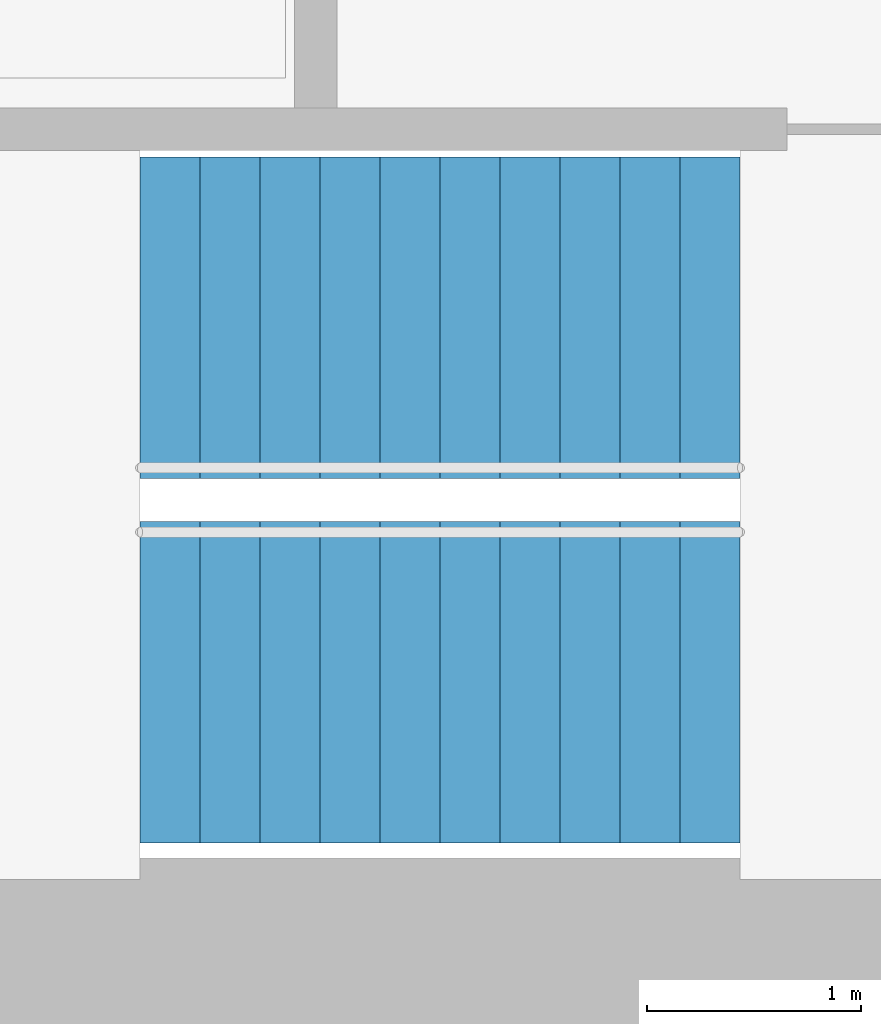
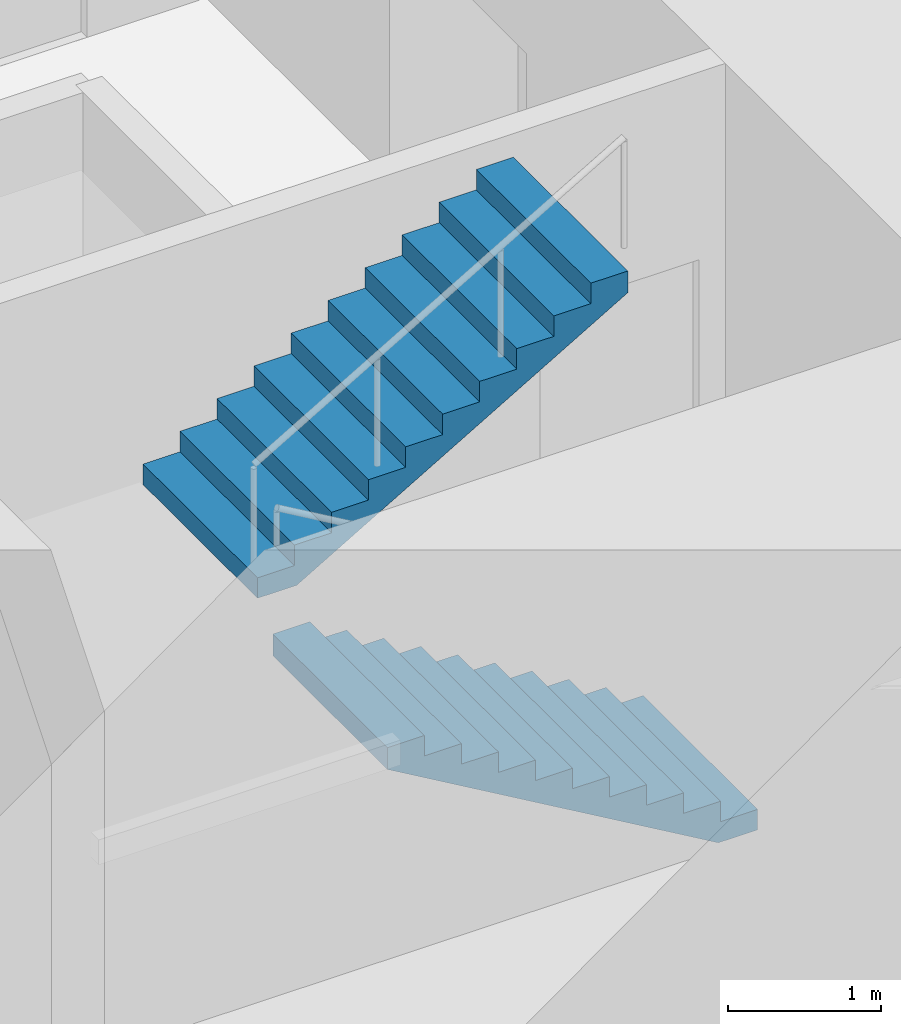
# One storey, part 15 of 17: 2 stair flights, 1 element without a shape of its own.
"""IFC4 building model written with IfcOpenShell, lengths in metres."""

from ifc_helpers import new_model, si_unit, direction, frame, origin, place, context, subcontext, project, spatial, triangles, material, type_object, element, aggregate, save


model = new_model("IFC4")

# Units and contexts
model_context = context("Model", 3, precision=1e-05, world=origin(), true_north=direction((0.0, 1.0)))
body_context = subcontext(model_context, "Body", "Model", "MODEL_VIEW")
ifc_project = project(units=[si_unit("LENGTHUNIT", "METRE"), si_unit("AREAUNIT", "SQUARE_METRE"), si_unit("VOLUMEUNIT", "CUBIC_METRE"), si_unit("PLANEANGLEUNIT", "RADIAN"), si_unit("MASSUNIT", "GRAM", prefix="KILO")], contexts=[model_context])

# Site, building, storey
site_placement = place(None, origin())
site = spatial("IfcSite", under=ifc_project, at=site_placement, CompositionType="ELEMENT")
building_placement = place(site_placement, origin())
building = spatial("IfcBuilding", under=site, at=building_placement, Name="Lantaw Convention Tower", CompositionType="ELEMENT")
storey_placement = place(building_placement, frame((0.0, 0.0, 37.0)))
storey = spatial("IfcBuildingStorey", under=building, at=storey_placement, Name="L06", CompositionType="ELEMENT", Elevation=37.0)

# Stair, stair flights
ifc_material = material(Name="Concrete C35/45", Category="concrete")
stair_type = type_object("IfcStairType", Name="Exit stair 1500 riser 163.64 in 2 flights", PredefinedType="HALF_TURN_STAIR", material=ifc_material)
stair_placement = place(storey_placement, origin())
stair = element("IfcStair", 1, at=stair_placement, inside=storey, type_object=stair_type, Name="Exit stair S2 L06", PredefinedType="HALF_TURN_STAIR")
stair_flight_type = type_object("IfcStairFlightType", Name="Stair flight 1500 riser 163.64", PredefinedType="STRAIGHT", material=ifc_material)
stair_flight_1_placement = place(storey_placement, frame((10.580078125, -5.97998046875, 0.0), z_axis=(0.0, 0.0, 1.0), x_axis=(-1.0, 0.0, 0.0)))
stair_flight_1 = element("IfcStairFlight", 2, at=stair_flight_1_placement, type_object=stair_flight_type, Name="S2 flight 1", NumberOfRisers=11, NumberOfTreads=10, PredefinedType="STRAIGHT", RiserHeight=0.163636364, TreadLength=0.28, context=body_context, shape_type="Tessellation", body=[
    triangles([(0.0, 0.75, 0.0), (0.0, 0.75, 0.163636364), (0.28, 0.75, 0.0), (0.28, 0.75, 0.163636364), (0.28, 0.75, 0.327272728), (0.2970904571225277, 0.75, 0.0), (0.2970904571225277, 0.75, 0.327272728), (0.56, 0.75, 0.1536484344906131), (0.56, 0.75, 0.327272728), (0.56, 0.75, 0.490909092), (0.8400000000000001, 0.75, 0.3172847984906131), (0.8400000000000001, 0.75, 0.490909092), (0.8400000000000001, 0.75, 0.654545456), (1.12, 0.75, 0.4809211624906131), (1.12, 0.75, 0.654545456), (1.12, 0.75, 0.8181818200000001), (1.4000000000000001, 0.75, 0.6445575264906132), (1.4000000000000001, 0.75, 0.8181818200000001), (1.4000000000000001, 0.75, 0.981818184), (1.6800000000000002, 0.75, 0.8081938904906131), (1.6800000000000002, 0.75, 0.981818184), (1.6800000000000002, 0.75, 1.145454548), (1.9600000000000002, 0.75, 0.9718302544906131), (1.9600000000000002, 0.75, 1.145454548), (1.9600000000000002, 0.75, 1.309090912), (2.24, 0.75, 1.135466618490613), (2.24, 0.75, 1.309090912), (2.24, 0.75, 1.472727276), (2.5200000000000005, 0.75, 1.2991029824906133), (2.5200000000000005, 0.75, 1.472727276), (2.5200000000000005, 0.75, 1.6363636400000001), (2.8000000000000003, 0.75, 1.462739346490613), (2.8000000000000003, 0.75, 1.6363636400000001), (0.0, -0.75, 0.0), (0.0, -0.75, 0.163636364), (0.28, -0.75, 0.0), (0.28, -0.75, 0.163636364), (0.28, -0.75, 0.327272728), (0.2970904571225277, -0.75, 0.0), (0.2970904571225277, -0.75, 0.327272728), (0.56, -0.75, 0.1536484344906131), (0.56, -0.75, 0.327272728), (0.56, -0.75, 0.490909092), (0.8400000000000001, -0.75, 0.3172847984906131), (0.8400000000000001, -0.75, 0.490909092), (0.8400000000000001, -0.75, 0.654545456), (1.12, -0.75, 0.4809211624906131), (1.12, -0.75, 0.654545456), (1.12, -0.75, 0.8181818200000001), (1.4000000000000001, -0.75, 0.6445575264906132), (1.4000000000000001, -0.75, 0.8181818200000001), (1.4000000000000001, -0.75, 0.981818184), (1.6800000000000002, -0.75, 0.8081938904906131), (1.6800000000000002, -0.75, 0.981818184), (1.6800000000000002, -0.75, 1.145454548), (1.9600000000000002, -0.75, 0.9718302544906131), (1.9600000000000002, -0.75, 1.145454548), (1.9600000000000002, -0.75, 1.309090912), (2.24, -0.75, 1.135466618490613), (2.24, -0.75, 1.309090912), (2.24, -0.75, 1.472727276), (2.5200000000000005, -0.75, 1.2991029824906133), (2.5200000000000005, -0.75, 1.472727276), (2.5200000000000005, -0.75, 1.6363636400000001), (2.8000000000000003, -0.75, 1.462739346490613), (2.8000000000000003, -0.75, 1.6363636400000001), (0.0, 0.15000000000000002, 0.163636364), (0.0, 0.15000000000000002, 0.0), (0.0, 0.0, 0.163636364), (0.0, 0.0, 0.0), (0.0, -0.15000000000000002, 0.163636364), (0.0, -0.15000000000000002, 0.0), (0.28, 0.15000000000000002, 0.327272728), (0.28, 0.15000000000000002, 0.163636364), (0.28, 0.0, 0.327272728), (0.28, 0.0, 0.163636364), (0.28, -0.15000000000000002, 0.327272728), (0.28, -0.15000000000000002, 0.163636364), (0.56, 0.15000000000000002, 0.490909092), (0.56, 0.15000000000000002, 0.327272728), (0.56, 0.0, 0.490909092), (0.56, 0.0, 0.327272728), (0.56, -0.15000000000000002, 0.490909092), (0.56, -0.15000000000000002, 0.327272728), (0.8400000000000001, 0.15000000000000002, 0.654545456), (0.8400000000000001, 0.15000000000000002, 0.490909092), (0.8400000000000001, 0.0, 0.654545456), (0.8400000000000001, 0.0, 0.490909092), (0.8400000000000001, -0.15000000000000002, 0.654545456), (0.8400000000000001, -0.15000000000000002, 0.490909092), (1.12, 0.15000000000000002, 0.8181818200000001), (1.12, 0.15000000000000002, 0.654545456), (1.12, 0.0, 0.8181818200000001), (1.12, 0.0, 0.654545456), (1.12, -0.15000000000000002, 0.8181818200000001), (1.12, -0.15000000000000002, 0.654545456), (1.4000000000000001, 0.15000000000000002, 0.981818184), (1.4000000000000001, 0.15000000000000002, 0.8181818200000001), (1.4000000000000001, 0.0, 0.981818184), (1.4000000000000001, 0.0, 0.8181818200000001), (1.4000000000000001, -0.15000000000000002, 0.981818184), (1.4000000000000001, -0.15000000000000002, 0.8181818200000001), (1.6800000000000002, 0.15000000000000002, 1.145454548), (1.6800000000000002, 0.15000000000000002, 0.981818184), (1.6800000000000002, 0.0, 1.145454548), (1.6800000000000002, 0.0, 0.981818184), (1.6800000000000002, -0.15000000000000002, 1.145454548), (1.6800000000000002, -0.15000000000000002, 0.981818184), (1.9600000000000002, 0.15000000000000002, 1.309090912), (1.9600000000000002, 0.15000000000000002, 1.145454548), (1.9600000000000002, 0.0, 1.309090912), (1.9600000000000002, 0.0, 1.145454548), (1.9600000000000002, -0.15000000000000002, 1.309090912), (1.9600000000000002, -0.15000000000000002, 1.145454548), (2.24, 0.15000000000000002, 1.472727276), (2.24, 0.15000000000000002, 1.309090912), (2.24, 0.0, 1.472727276), (2.24, 0.0, 1.309090912), (2.24, -0.15000000000000002, 1.472727276), (2.24, -0.15000000000000002, 1.309090912), (2.5200000000000005, 0.15000000000000002, 1.6363636400000001), (2.5200000000000005, 0.15000000000000002, 1.472727276), (2.5200000000000005, 0.0, 1.6363636400000001), (2.5200000000000005, 0.0, 1.472727276), (2.5200000000000005, -0.15000000000000002, 1.6363636400000001), (2.5200000000000005, -0.15000000000000002, 1.472727276), (0.2970904571225277, 0.15000000000000002, 0.327272728), (0.2970904571225277, 0.0, 0.327272728), (0.2970904571225277, -0.15000000000000002, 0.327272728), (2.8000000000000003, 0.15000000000000002, 1.6363636400000001), (2.8000000000000003, 0.0, 1.6363636400000001), (2.8000000000000003, -0.15000000000000002, 1.6363636400000001), (2.8000000000000003, 0.15000000000000002, 1.462739346490613), (2.8000000000000003, 0.0, 1.462739346490613), (2.8000000000000003, -0.15000000000000002, 1.462739346490613), (2.5200000000000005, 0.15000000000000002, 1.2991029824906133), (2.5200000000000005, 0.0, 1.2991029824906133), (2.5200000000000005, -0.15000000000000002, 1.2991029824906133), (2.24, 0.15000000000000002, 1.135466618490613), (2.24, 0.0, 1.135466618490613), (2.24, -0.15000000000000002, 1.135466618490613), (1.9600000000000002, 0.15000000000000002, 0.9718302544906131), (1.9600000000000002, 0.0, 0.9718302544906131), (1.9600000000000002, -0.15000000000000002, 0.9718302544906131), (1.6800000000000002, 0.15000000000000002, 0.8081938904906131), (1.6800000000000002, 0.0, 0.8081938904906131), (1.6800000000000002, -0.15000000000000002, 0.8081938904906131), (1.4000000000000001, 0.15000000000000002, 0.6445575264906132), (1.4000000000000001, 0.0, 0.6445575264906132), (1.4000000000000001, -0.15000000000000002, 0.6445575264906132), (1.12, 0.15000000000000002, 0.4809211624906131), (1.12, 0.0, 0.4809211624906131), (1.12, -0.15000000000000002, 0.4809211624906131), (0.8400000000000001, 0.15000000000000002, 0.3172847984906131), (0.8400000000000001, 0.0, 0.3172847984906131), (0.8400000000000001, -0.15000000000000002, 0.3172847984906131), (0.56, 0.15000000000000002, 0.1536484344906131), (0.56, 0.0, 0.1536484344906131), (0.56, -0.15000000000000002, 0.1536484344906131), (0.2970904571225277, 0.15000000000000002, 0.0), (0.2970904571225277, 0.0, 0.0), (0.2970904571225277, -0.15000000000000002, 0.0), (0.28, 0.15000000000000002, 0.0), (0.28, 0.0, 0.0), (0.28, -0.15000000000000002, 0.0)], [[1, 4, 3], [1, 2, 4], [3, 4, 6], [4, 7, 6], [4, 5, 7], [6, 9, 8], [6, 7, 9], [8, 9, 11], [9, 12, 11], [9, 10, 12], [11, 12, 14], [12, 15, 14], [12, 13, 15], [14, 15, 17], [15, 18, 17], [15, 16, 18], [17, 18, 20], [18, 21, 20], [18, 19, 21], [20, 21, 23], [21, 24, 23], [21, 22, 24], [23, 24, 26], [24, 27, 26], [24, 25, 27], [26, 27, 29], [27, 30, 29], [27, 28, 30], [29, 30, 32], [30, 33, 32], [30, 31, 33], [34, 36, 37], [34, 37, 35], [36, 39, 37], [37, 39, 40], [37, 40, 38], [39, 41, 42], [39, 42, 40], [41, 44, 42], [42, 44, 45], [42, 45, 43], [44, 47, 45], [45, 47, 48], [45, 48, 46], [47, 50, 48], [48, 50, 51], [48, 51, 49], [50, 53, 51], [51, 53, 54], [51, 54, 52], [53, 56, 54], [54, 56, 57], [54, 57, 55], [56, 59, 57], [57, 59, 60], [57, 60, 58], [59, 62, 60], [60, 62, 63], [60, 63, 61], [62, 65, 63], [63, 65, 66], [63, 66, 64], [1, 67, 2], [1, 68, 67], [68, 69, 67], [68, 70, 69], [70, 71, 69], [70, 72, 71], [72, 35, 71], [72, 34, 35], [4, 73, 5], [4, 74, 73], [74, 75, 73], [74, 76, 75], [76, 77, 75], [76, 78, 77], [78, 38, 77], [78, 37, 38], [9, 79, 10], [9, 80, 79], [80, 81, 79], [80, 82, 81], [82, 83, 81], [82, 84, 83], [84, 43, 83], [84, 42, 43], [12, 85, 13], [12, 86, 85], [86, 87, 85], [86, 88, 87], [88, 89, 87], [88, 90, 89], [90, 46, 89], [90, 45, 46], [15, 91, 16], [15, 92, 91], [92, 93, 91], [92, 94, 93], [94, 95, 93], [94, 96, 95], [96, 49, 95], [96, 48, 49], [18, 97, 19], [18, 98, 97], [98, 99, 97], [98, 100, 99], [100, 101, 99], [100, 102, 101], [102, 52, 101], [102, 51, 52], [21, 103, 22], [21, 104, 103], [104, 105, 103], [104, 106, 105], [106, 107, 105], [106, 108, 107], [108, 55, 107], [108, 54, 55], [24, 109, 25], [24, 110, 109], [110, 111, 109], [110, 112, 111], [112, 113, 111], [112, 114, 113], [114, 58, 113], [114, 57, 58], [27, 115, 28], [27, 116, 115], [116, 117, 115], [116, 118, 117], [118, 119, 117], [118, 120, 119], [120, 61, 119], [120, 60, 61], [30, 121, 31], [30, 122, 121], [122, 123, 121], [122, 124, 123], [124, 125, 123], [124, 126, 125], [126, 64, 125], [126, 63, 64], [2, 74, 4], [2, 67, 74], [67, 76, 74], [67, 69, 76], [69, 78, 76], [69, 71, 78], [71, 37, 78], [71, 35, 37], [5, 127, 7], [5, 73, 127], [73, 128, 127], [73, 75, 128], [75, 129, 128], [75, 77, 129], [77, 40, 129], [77, 38, 40], [7, 80, 9], [7, 127, 80], [127, 82, 80], [127, 128, 82], [128, 84, 82], [128, 129, 84], [129, 42, 84], [129, 40, 42], [10, 86, 12], [10, 79, 86], [79, 88, 86], [79, 81, 88], [81, 90, 88], [81, 83, 90], [83, 45, 90], [83, 43, 45], [13, 92, 15], [13, 85, 92], [85, 94, 92], [85, 87, 94], [87, 96, 94], [87, 89, 96], [89, 48, 96], [89, 46, 48], [16, 98, 18], [16, 91, 98], [91, 100, 98], [91, 93, 100], [93, 102, 100], [93, 95, 102], [95, 51, 102], [95, 49, 51], [19, 104, 21], [19, 97, 104], [97, 106, 104], [97, 99, 106], [99, 108, 106], [99, 101, 108], [101, 54, 108], [101, 52, 54], [22, 110, 24], [22, 103, 110], [103, 112, 110], [103, 105, 112], [105, 114, 112], [105, 107, 114], [107, 57, 114], [107, 55, 57], [25, 116, 27], [25, 109, 116], [109, 118, 116], [109, 111, 118], [111, 120, 118], [111, 113, 120], [113, 60, 120], [113, 58, 60], [28, 122, 30], [28, 115, 122], [115, 124, 122], [115, 117, 124], [117, 126, 124], [117, 119, 126], [119, 63, 126], [119, 61, 63], [31, 130, 33], [31, 121, 130], [121, 131, 130], [121, 123, 131], [123, 132, 131], [123, 125, 132], [125, 66, 132], [125, 64, 66], [33, 133, 32], [33, 130, 133], [130, 134, 133], [130, 131, 134], [131, 135, 134], [131, 132, 135], [132, 65, 135], [132, 66, 65], [32, 136, 29], [32, 133, 136], [133, 137, 136], [133, 134, 137], [134, 138, 137], [134, 135, 138], [135, 62, 138], [135, 65, 62], [29, 139, 26], [29, 136, 139], [136, 140, 139], [136, 137, 140], [137, 141, 140], [137, 138, 141], [138, 59, 141], [138, 62, 59], [26, 142, 23], [26, 139, 142], [139, 143, 142], [139, 140, 143], [140, 144, 143], [140, 141, 144], [141, 56, 144], [141, 59, 56], [23, 145, 20], [23, 142, 145], [142, 146, 145], [142, 143, 146], [143, 147, 146], [143, 144, 147], [144, 53, 147], [144, 56, 53], [20, 148, 17], [20, 145, 148], [145, 149, 148], [145, 146, 149], [146, 150, 149], [146, 147, 150], [147, 50, 150], [147, 53, 50], [17, 151, 14], [17, 148, 151], [148, 152, 151], [148, 149, 152], [149, 153, 152], [149, 150, 153], [150, 47, 153], [150, 50, 47], [14, 154, 11], [14, 151, 154], [151, 155, 154], [151, 152, 155], [152, 156, 155], [152, 153, 156], [153, 44, 156], [153, 47, 44], [11, 157, 8], [11, 154, 157], [154, 158, 157], [154, 155, 158], [155, 159, 158], [155, 156, 159], [156, 41, 159], [156, 44, 41], [8, 160, 6], [8, 157, 160], [157, 161, 160], [157, 158, 161], [158, 162, 161], [158, 159, 162], [159, 39, 162], [159, 41, 39], [6, 163, 3], [6, 160, 163], [160, 164, 163], [160, 161, 164], [161, 165, 164], [161, 162, 165], [162, 36, 165], [162, 39, 36], [3, 68, 1], [3, 163, 68], [163, 70, 68], [163, 164, 70], [164, 72, 70], [164, 165, 72], [165, 34, 72], [165, 36, 34]], closed=True),
])
stair_flight_2_placement = place(storey_placement, frame((7.780029296875, -4.280029296875, 1.800048828125), z_axis=(0.0, 0.0, 1.0), x_axis=(1.0, 0.0, 0.0)))
stair_flight_2 = element("IfcStairFlight", 3, at=stair_flight_2_placement, type_object=stair_flight_type, Name="S2 flight 2", NumberOfRisers=11, NumberOfTreads=10, PredefinedType="STRAIGHT", RiserHeight=0.163636364, TreadLength=0.28, context=body_context, shape_type="Tessellation", body=[
    triangles([(0.0, 0.75, 0.0), (0.0, 0.75, 0.163636364), (0.28, 0.75, 0.0), (0.28, 0.75, 0.163636364), (0.28, 0.75, 0.327272728), (0.2970904571225277, 0.75, 0.0), (0.2970904571225277, 0.75, 0.327272728), (0.56, 0.75, 0.1536484344906131), (0.56, 0.75, 0.327272728), (0.56, 0.75, 0.490909092), (0.8400000000000001, 0.75, 0.3172847984906131), (0.8400000000000001, 0.75, 0.490909092), (0.8400000000000001, 0.75, 0.654545456), (1.12, 0.75, 0.4809211624906131), (1.12, 0.75, 0.654545456), (1.12, 0.75, 0.8181818200000001), (1.4000000000000001, 0.75, 0.6445575264906132), (1.4000000000000001, 0.75, 0.8181818200000001), (1.4000000000000001, 0.75, 0.981818184), (1.6800000000000002, 0.75, 0.8081938904906131), (1.6800000000000002, 0.75, 0.981818184), (1.6800000000000002, 0.75, 1.145454548), (1.9600000000000002, 0.75, 0.9718302544906131), (1.9600000000000002, 0.75, 1.145454548), (1.9600000000000002, 0.75, 1.309090912), (2.24, 0.75, 1.135466618490613), (2.24, 0.75, 1.309090912), (2.24, 0.75, 1.472727276), (2.5200000000000005, 0.75, 1.2991029824906133), (2.5200000000000005, 0.75, 1.472727276), (2.5200000000000005, 0.75, 1.6363636400000001), (2.8000000000000003, 0.75, 1.462739346490613), (2.8000000000000003, 0.75, 1.6363636400000001), (0.0, -0.75, 0.0), (0.0, -0.75, 0.163636364), (0.28, -0.75, 0.0), (0.28, -0.75, 0.163636364), (0.28, -0.75, 0.327272728), (0.2970904571225277, -0.75, 0.0), (0.2970904571225277, -0.75, 0.327272728), (0.56, -0.75, 0.1536484344906131), (0.56, -0.75, 0.327272728), (0.56, -0.75, 0.490909092), (0.8400000000000001, -0.75, 0.3172847984906131), (0.8400000000000001, -0.75, 0.490909092), (0.8400000000000001, -0.75, 0.654545456), (1.12, -0.75, 0.4809211624906131), (1.12, -0.75, 0.654545456), (1.12, -0.75, 0.8181818200000001), (1.4000000000000001, -0.75, 0.6445575264906132), (1.4000000000000001, -0.75, 0.8181818200000001), (1.4000000000000001, -0.75, 0.981818184), (1.6800000000000002, -0.75, 0.8081938904906131), (1.6800000000000002, -0.75, 0.981818184), (1.6800000000000002, -0.75, 1.145454548), (1.9600000000000002, -0.75, 0.9718302544906131), (1.9600000000000002, -0.75, 1.145454548), (1.9600000000000002, -0.75, 1.309090912), (2.24, -0.75, 1.135466618490613), (2.24, -0.75, 1.309090912), (2.24, -0.75, 1.472727276), (2.5200000000000005, -0.75, 1.2991029824906133), (2.5200000000000005, -0.75, 1.472727276), (2.5200000000000005, -0.75, 1.6363636400000001), (2.8000000000000003, -0.75, 1.462739346490613), (2.8000000000000003, -0.75, 1.6363636400000001), (0.0, 0.15000000000000002, 0.163636364), (0.0, 0.15000000000000002, 0.0), (0.0, 0.0, 0.163636364), (0.0, 0.0, 0.0), (0.0, -0.15000000000000002, 0.163636364), (0.0, -0.15000000000000002, 0.0), (0.28, 0.15000000000000002, 0.327272728), (0.28, 0.15000000000000002, 0.163636364), (0.28, 0.0, 0.327272728), (0.28, 0.0, 0.163636364), (0.28, -0.15000000000000002, 0.327272728), (0.28, -0.15000000000000002, 0.163636364), (0.56, 0.15000000000000002, 0.490909092), (0.56, 0.15000000000000002, 0.327272728), (0.56, 0.0, 0.490909092), (0.56, 0.0, 0.327272728), (0.56, -0.15000000000000002, 0.490909092), (0.56, -0.15000000000000002, 0.327272728), (0.8400000000000001, 0.15000000000000002, 0.654545456), (0.8400000000000001, 0.15000000000000002, 0.490909092), (0.8400000000000001, 0.0, 0.654545456), (0.8400000000000001, 0.0, 0.490909092), (0.8400000000000001, -0.15000000000000002, 0.654545456), (0.8400000000000001, -0.15000000000000002, 0.490909092), (1.12, 0.15000000000000002, 0.8181818200000001), (1.12, 0.15000000000000002, 0.654545456), (1.12, 0.0, 0.8181818200000001), (1.12, 0.0, 0.654545456), (1.12, -0.15000000000000002, 0.8181818200000001), (1.12, -0.15000000000000002, 0.654545456), (1.4000000000000001, 0.15000000000000002, 0.981818184), (1.4000000000000001, 0.15000000000000002, 0.8181818200000001), (1.4000000000000001, 0.0, 0.981818184), (1.4000000000000001, 0.0, 0.8181818200000001), (1.4000000000000001, -0.15000000000000002, 0.981818184), (1.4000000000000001, -0.15000000000000002, 0.8181818200000001), (1.6800000000000002, 0.15000000000000002, 1.145454548), (1.6800000000000002, 0.15000000000000002, 0.981818184), (1.6800000000000002, 0.0, 1.145454548), (1.6800000000000002, 0.0, 0.981818184), (1.6800000000000002, -0.15000000000000002, 1.145454548), (1.6800000000000002, -0.15000000000000002, 0.981818184), (1.9600000000000002, 0.15000000000000002, 1.309090912), (1.9600000000000002, 0.15000000000000002, 1.145454548), (1.9600000000000002, 0.0, 1.309090912), (1.9600000000000002, 0.0, 1.145454548), (1.9600000000000002, -0.15000000000000002, 1.309090912), (1.9600000000000002, -0.15000000000000002, 1.145454548), (2.24, 0.15000000000000002, 1.472727276), (2.24, 0.15000000000000002, 1.309090912), (2.24, 0.0, 1.472727276), (2.24, 0.0, 1.309090912), (2.24, -0.15000000000000002, 1.472727276), (2.24, -0.15000000000000002, 1.309090912), (2.5200000000000005, 0.15000000000000002, 1.6363636400000001), (2.5200000000000005, 0.15000000000000002, 1.472727276), (2.5200000000000005, 0.0, 1.6363636400000001), (2.5200000000000005, 0.0, 1.472727276), (2.5200000000000005, -0.15000000000000002, 1.6363636400000001), (2.5200000000000005, -0.15000000000000002, 1.472727276), (0.2970904571225277, 0.15000000000000002, 0.327272728), (0.2970904571225277, 0.0, 0.327272728), (0.2970904571225277, -0.15000000000000002, 0.327272728), (2.8000000000000003, 0.15000000000000002, 1.6363636400000001), (2.8000000000000003, 0.0, 1.6363636400000001), (2.8000000000000003, -0.15000000000000002, 1.6363636400000001), (2.8000000000000003, 0.15000000000000002, 1.462739346490613), (2.8000000000000003, 0.0, 1.462739346490613), (2.8000000000000003, -0.15000000000000002, 1.462739346490613), (2.5200000000000005, 0.15000000000000002, 1.2991029824906133), (2.5200000000000005, 0.0, 1.2991029824906133), (2.5200000000000005, -0.15000000000000002, 1.2991029824906133), (2.24, 0.15000000000000002, 1.135466618490613), (2.24, 0.0, 1.135466618490613), (2.24, -0.15000000000000002, 1.135466618490613), (1.9600000000000002, 0.15000000000000002, 0.9718302544906131), (1.9600000000000002, 0.0, 0.9718302544906131), (1.9600000000000002, -0.15000000000000002, 0.9718302544906131), (1.6800000000000002, 0.15000000000000002, 0.8081938904906131), (1.6800000000000002, 0.0, 0.8081938904906131), (1.6800000000000002, -0.15000000000000002, 0.8081938904906131), (1.4000000000000001, 0.15000000000000002, 0.6445575264906132), (1.4000000000000001, 0.0, 0.6445575264906132), (1.4000000000000001, -0.15000000000000002, 0.6445575264906132), (1.12, 0.15000000000000002, 0.4809211624906131), (1.12, 0.0, 0.4809211624906131), (1.12, -0.15000000000000002, 0.4809211624906131), (0.8400000000000001, 0.15000000000000002, 0.3172847984906131), (0.8400000000000001, 0.0, 0.3172847984906131), (0.8400000000000001, -0.15000000000000002, 0.3172847984906131), (0.56, 0.15000000000000002, 0.1536484344906131), (0.56, 0.0, 0.1536484344906131), (0.56, -0.15000000000000002, 0.1536484344906131), (0.2970904571225277, 0.15000000000000002, 0.0), (0.2970904571225277, 0.0, 0.0), (0.2970904571225277, -0.15000000000000002, 0.0), (0.28, 0.15000000000000002, 0.0), (0.28, 0.0, 0.0), (0.28, -0.15000000000000002, 0.0)], [[1, 4, 3], [1, 2, 4], [3, 4, 6], [4, 7, 6], [4, 5, 7], [6, 9, 8], [6, 7, 9], [8, 9, 11], [9, 12, 11], [9, 10, 12], [11, 12, 14], [12, 15, 14], [12, 13, 15], [14, 15, 17], [15, 18, 17], [15, 16, 18], [17, 18, 20], [18, 21, 20], [18, 19, 21], [20, 21, 23], [21, 24, 23], [21, 22, 24], [23, 24, 26], [24, 27, 26], [24, 25, 27], [26, 27, 29], [27, 30, 29], [27, 28, 30], [29, 30, 32], [30, 33, 32], [30, 31, 33], [34, 36, 37], [34, 37, 35], [36, 39, 37], [37, 39, 40], [37, 40, 38], [39, 41, 42], [39, 42, 40], [41, 44, 42], [42, 44, 45], [42, 45, 43], [44, 47, 45], [45, 47, 48], [45, 48, 46], [47, 50, 48], [48, 50, 51], [48, 51, 49], [50, 53, 51], [51, 53, 54], [51, 54, 52], [53, 56, 54], [54, 56, 57], [54, 57, 55], [56, 59, 57], [57, 59, 60], [57, 60, 58], [59, 62, 60], [60, 62, 63], [60, 63, 61], [62, 65, 63], [63, 65, 66], [63, 66, 64], [1, 67, 2], [1, 68, 67], [68, 69, 67], [68, 70, 69], [70, 71, 69], [70, 72, 71], [72, 35, 71], [72, 34, 35], [4, 73, 5], [4, 74, 73], [74, 75, 73], [74, 76, 75], [76, 77, 75], [76, 78, 77], [78, 38, 77], [78, 37, 38], [9, 79, 10], [9, 80, 79], [80, 81, 79], [80, 82, 81], [82, 83, 81], [82, 84, 83], [84, 43, 83], [84, 42, 43], [12, 85, 13], [12, 86, 85], [86, 87, 85], [86, 88, 87], [88, 89, 87], [88, 90, 89], [90, 46, 89], [90, 45, 46], [15, 91, 16], [15, 92, 91], [92, 93, 91], [92, 94, 93], [94, 95, 93], [94, 96, 95], [96, 49, 95], [96, 48, 49], [18, 97, 19], [18, 98, 97], [98, 99, 97], [98, 100, 99], [100, 101, 99], [100, 102, 101], [102, 52, 101], [102, 51, 52], [21, 103, 22], [21, 104, 103], [104, 105, 103], [104, 106, 105], [106, 107, 105], [106, 108, 107], [108, 55, 107], [108, 54, 55], [24, 109, 25], [24, 110, 109], [110, 111, 109], [110, 112, 111], [112, 113, 111], [112, 114, 113], [114, 58, 113], [114, 57, 58], [27, 115, 28], [27, 116, 115], [116, 117, 115], [116, 118, 117], [118, 119, 117], [118, 120, 119], [120, 61, 119], [120, 60, 61], [30, 121, 31], [30, 122, 121], [122, 123, 121], [122, 124, 123], [124, 125, 123], [124, 126, 125], [126, 64, 125], [126, 63, 64], [2, 74, 4], [2, 67, 74], [67, 76, 74], [67, 69, 76], [69, 78, 76], [69, 71, 78], [71, 37, 78], [71, 35, 37], [5, 127, 7], [5, 73, 127], [73, 128, 127], [73, 75, 128], [75, 129, 128], [75, 77, 129], [77, 40, 129], [77, 38, 40], [7, 80, 9], [7, 127, 80], [127, 82, 80], [127, 128, 82], [128, 84, 82], [128, 129, 84], [129, 42, 84], [129, 40, 42], [10, 86, 12], [10, 79, 86], [79, 88, 86], [79, 81, 88], [81, 90, 88], [81, 83, 90], [83, 45, 90], [83, 43, 45], [13, 92, 15], [13, 85, 92], [85, 94, 92], [85, 87, 94], [87, 96, 94], [87, 89, 96], [89, 48, 96], [89, 46, 48], [16, 98, 18], [16, 91, 98], [91, 100, 98], [91, 93, 100], [93, 102, 100], [93, 95, 102], [95, 51, 102], [95, 49, 51], [19, 104, 21], [19, 97, 104], [97, 106, 104], [97, 99, 106], [99, 108, 106], [99, 101, 108], [101, 54, 108], [101, 52, 54], [22, 110, 24], [22, 103, 110], [103, 112, 110], [103, 105, 112], [105, 114, 112], [105, 107, 114], [107, 57, 114], [107, 55, 57], [25, 116, 27], [25, 109, 116], [109, 118, 116], [109, 111, 118], [111, 120, 118], [111, 113, 120], [113, 60, 120], [113, 58, 60], [28, 122, 30], [28, 115, 122], [115, 124, 122], [115, 117, 124], [117, 126, 124], [117, 119, 126], [119, 63, 126], [119, 61, 63], [31, 130, 33], [31, 121, 130], [121, 131, 130], [121, 123, 131], [123, 132, 131], [123, 125, 132], [125, 66, 132], [125, 64, 66], [33, 133, 32], [33, 130, 133], [130, 134, 133], [130, 131, 134], [131, 135, 134], [131, 132, 135], [132, 65, 135], [132, 66, 65], [32, 136, 29], [32, 133, 136], [133, 137, 136], [133, 134, 137], [134, 138, 137], [134, 135, 138], [135, 62, 138], [135, 65, 62], [29, 139, 26], [29, 136, 139], [136, 140, 139], [136, 137, 140], [137, 141, 140], [137, 138, 141], [138, 59, 141], [138, 62, 59], [26, 142, 23], [26, 139, 142], [139, 143, 142], [139, 140, 143], [140, 144, 143], [140, 141, 144], [141, 56, 144], [141, 59, 56], [23, 145, 20], [23, 142, 145], [142, 146, 145], [142, 143, 146], [143, 147, 146], [143, 144, 147], [144, 53, 147], [144, 56, 53], [20, 148, 17], [20, 145, 148], [145, 149, 148], [145, 146, 149], [146, 150, 149], [146, 147, 150], [147, 50, 150], [147, 53, 50], [17, 151, 14], [17, 148, 151], [148, 152, 151], [148, 149, 152], [149, 153, 152], [149, 150, 153], [150, 47, 153], [150, 50, 47], [14, 154, 11], [14, 151, 154], [151, 155, 154], [151, 152, 155], [152, 156, 155], [152, 153, 156], [153, 44, 156], [153, 47, 44], [11, 157, 8], [11, 154, 157], [154, 158, 157], [154, 155, 158], [155, 159, 158], [155, 156, 159], [156, 41, 159], [156, 44, 41], [8, 160, 6], [8, 157, 160], [157, 161, 160], [157, 158, 161], [158, 162, 161], [158, 159, 162], [159, 39, 162], [159, 41, 39], [6, 163, 3], [6, 160, 163], [160, 164, 163], [160, 161, 164], [161, 165, 164], [161, 162, 165], [162, 36, 165], [162, 39, 36], [3, 68, 1], [3, 163, 68], [163, 70, 68], [163, 164, 70], [164, 72, 70], [164, 165, 72], [165, 34, 72], [165, 36, 34]], closed=True),
])
aggregate(stair, [stair_flight_1, stair_flight_2])

save(model, "model.ifc")
